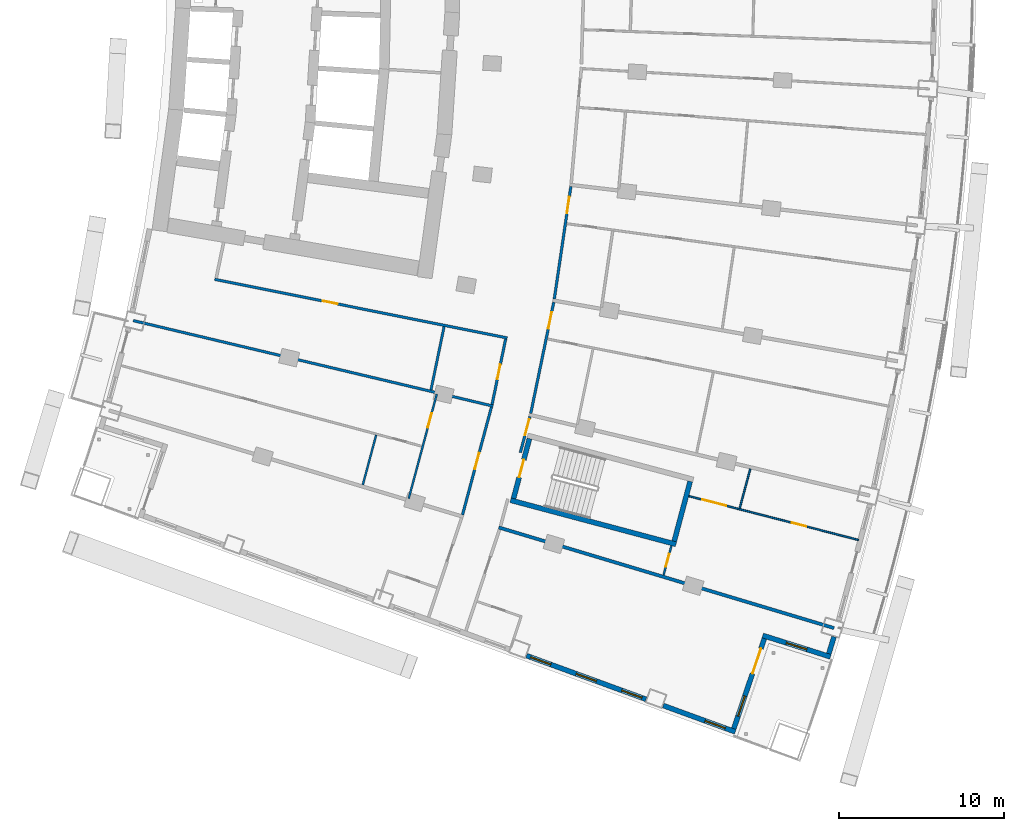
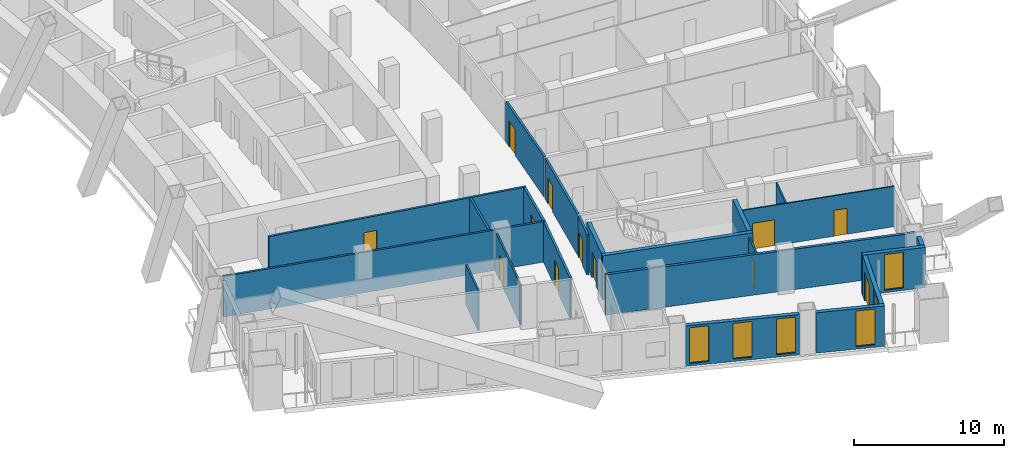
# One storey, part 14 of 25: 22 walls, 12 doors, 6 windows, 18 openings.
"""IFC4 building model written with IfcOpenShell, lengths in metres."""

from ifc_helpers import new_model, si_unit, direction, frame, frame_2d, origin, place, context, subcontext, project, spatial, rectangle, extrude, material, layer, layer_set, type_object, element, fill, save


model = new_model("IFC4")

# Units and contexts
model_context = context("Model", 3, precision=1e-05, world=origin(), true_north=direction((0.0, 1.0)))
body_context = subcontext(model_context, "Body", "Model", "MODEL_VIEW")
ifc_project = project(units=[si_unit("LENGTHUNIT", "METRE"), si_unit("AREAUNIT", "SQUARE_METRE"), si_unit("VOLUMEUNIT", "CUBIC_METRE"), si_unit("PLANEANGLEUNIT", "RADIAN"), si_unit("MASSUNIT", "GRAM", prefix="KILO")], contexts=[model_context])

# Site, building, storey
site_placement = place(None, origin())
site = spatial("IfcSite", under=ifc_project, at=site_placement, CompositionType="ELEMENT")
building_placement = place(site_placement, origin())
building = spatial("IfcBuilding", under=site, at=building_placement, Name="Alderwake Tower", CompositionType="ELEMENT")
storey_placement = place(building_placement, frame((0.0, 0.0, 64.39990234375)))
storey = spatial("IfcBuildingStorey", under=building, at=storey_placement, Name="L15", CompositionType="ELEMENT", Elevation=64.39990234375)

# Wall
ifc_material_1 = material(Name="Concrete C70/85", Category="concrete")
ifc_layer_1 = layer(ifc_material_1, 0.300048828125)
ifc_layer_set_1 = layer_set([ifc_layer_1], Name="Core wall stair enclosure 300 C70-85")
wall_type_1 = type_object("IfcWallType", Name="Core wall stair enclosure 300 C70-85", PredefinedType="SHEAR", material=ifc_layer_set_1)
wall_1_placement = place(storey_placement, frame((36.71142578125, 27.817626953125, 0.0), z_axis=(0.0, 0.0, 1.0), x_axis=(0.966309214305, -0.257383958996, 0.0)))
element("IfcWall", 1, at=wall_1_placement, inside=storey, type_object=wall_type_1, Name="Core wall CW.088", PredefinedType="SHEAR", context=body_context, shape_type="SweptSolid", body=[
    extrude(rectangle(XDim=10.360107421875, YDim=0.300048828125, at=frame_2d((5.18017578125, 0.0))), origin(), (0.0, 0.0, 1.0), 3.60009765625),
])

# Wall, opening, door
wall_2_placement = place(storey_placement, frame((36.89501953125, 27.923828125, 0.0), z_axis=(0.0, 0.0, 1.0), x_axis=(0.257350630826, 0.966318090907, 0.0)))
wall_2 = element("IfcWall", 2, at=wall_2_placement, inside=storey, type_object=wall_type_1, Name="Core wall CW.087", PredefinedType="SHEAR", context=body_context, shape_type="SweptSolid", body=[
    extrude(rectangle(XDim=3.75, YDim=0.300048828125, at=frame_2d((1.875, 0.0))), origin(), (0.0, 0.0, 1.0), 3.60009765625),
])
opening_1_placement = place(wall_2_placement, frame((1.324951171875, 0.0, 0.0)))
opening_1 = element("IfcOpeningElement", 3, at=opening_1_placement, cuts=wall_2, Name="Opening C065", PredefinedType="OPENING", context=body_context, shape_type="SweptSolid", body=[
    extrude(rectangle(XDim=1.10009765625, YDim=2.10009765625, at=frame_2d((0.550048828125, 1.050048828125))), frame((0.0, 0.159912109375, 0.0), z_axis=(0.0, -1.0, 0.0), x_axis=(1.0, 0.0, 0.0)), (0.0, 0.0, 1.0), 0.320068359375),
])
ifc_material_2 = material(Name="Steel-framed fire door leaf", Category="steel")
door_type_1 = type_object("IfcDoorType", Name="Core stair door 1100 fire-rated", OperationType="SINGLE_SWING_LEFT", PredefinedType="DOOR", material=ifc_material_2)
door_1_placement = place(opening_1_placement, origin())
door_1 = element("IfcDoor", 4, at=door_1_placement, inside=storey, type_object=door_type_1, Name="Stair door", OperationType="SINGLE_SWING_LEFT", OverallHeight=2.10009765625, OverallWidth=1.10009765625, PredefinedType="DOOR", context=body_context, shape_type="SweptSolid", body=[
    extrude(rectangle(XDim=1.10009765625, YDim=2.10009765625, at=frame_2d((0.550048828125, 1.050048828125))), frame((0.0, 0.02490234375, 0.0), z_axis=(0.0, -1.0, 0.0), x_axis=(1.0, 0.0, 0.0)), (0.0, 0.0, 1.0), 0.050048828125),
])
fill(opening_1, door_1)

# Walls
wall_3_placement = place(storey_placement, frame((46.6162109375, 25.334716796875, 0.0), z_axis=(0.0, 0.0, 1.0), x_axis=(0.257366821694, 0.966313778796, 0.0)))
element("IfcWall", 5, at=wall_3_placement, inside=storey, type_object=wall_type_1, Name="Core wall CW.085", PredefinedType="SHEAR", context=body_context, shape_type="SweptSolid", body=[
    extrude(rectangle(XDim=3.749755859375, YDim=0.300048828125, at=frame_2d((1.875, 0.0))), origin(), (0.0, 0.0, 1.0), 3.60009765625),
])
ifc_material_3 = material(Name="Gypsum board on metal studs, rated")
ifc_layer_2 = layer(ifc_material_3, 0.159912109375)
ifc_layer_set_2 = layer_set([ifc_layer_2], Name="Corridor wall 160")
wall_type_2 = type_object("IfcWallType", Name="Corridor wall 160", PredefinedType="PARTITIONING", material=ifc_layer_set_2)
wall_4_placement = place(storey_placement, frame((13.884033203125, 38.68798828125, 0.0), z_axis=(0.0, 0.0, 1.0), x_axis=(0.972893462073, -0.231253781493, 0.0)))
element("IfcWall", 6, at=wall_4_placement, inside=storey, type_object=wall_type_2, Name="WL/L15/W17", PredefinedType="PARTITIONING", context=body_context, shape_type="SweptSolid", body=[
    extrude(rectangle(XDim=22.38037109375, YDim=0.159912109375, at=frame_2d((11.190185546875, 0.0))), origin(), (0.0, 0.0, 1.0), 3.280029296875),
])

# Wall, opening, door
wall_5_placement = place(storey_placement, frame((36.513427734375, 37.63427734375, 0.0), z_axis=(0.0, 0.0, 1.0), x_axis=(-0.980470254867, 0.1966674333, 0.0)))
wall_5 = element("IfcWall", 7, at=wall_5_placement, inside=storey, type_object=wall_type_2, Name="WL/L15/W18", PredefinedType="PARTITIONING", context=body_context, shape_type="SweptSolid", body=[
    extrude(rectangle(XDim=18.053466796875, YDim=0.159912109375, at=frame_2d((9.02685546875, 0.0))), origin(), (0.0, 0.0, 1.0), 3.280029296875),
])
opening_2_placement = place(wall_5_placement, frame((10.476806640625, 0.0, 0.0)))
opening_2 = element("IfcOpeningElement", 8, at=opening_2_placement, cuts=wall_5, Name="Opening R04-SBS1", PredefinedType="OPENING", context=body_context, shape_type="SweptSolid", body=[
    extrude(rectangle(XDim=0.89990234375, YDim=2.10009765625, at=frame_2d((0.449951171875, 1.050048828125))), frame((0.0, 0.08984375, 0.0), z_axis=(0.0, -1.0, 0.0), x_axis=(1.0, 0.0, 0.0)), (0.0, 0.0, 1.0), 0.179931640625),
])
ifc_material_4 = material(Name="Painted timber leaf", Category="wood")
door_type_2 = type_object("IfcDoorType", Name="Room door 900", OperationType="SINGLE_SWING_LEFT", PredefinedType="DOOR", material=ifc_material_4)
door_2_placement = place(opening_2_placement, origin())
door_2 = element("IfcDoor", 9, at=door_2_placement, inside=storey, type_object=door_type_2, Name="DR/L15/SBS1", OperationType="SINGLE_SWING_LEFT", OverallHeight=2.10009765625, OverallWidth=0.89990234375, PredefinedType="DOOR", context=body_context, shape_type="SweptSolid", body=[
    extrude(rectangle(XDim=0.89990234375, YDim=2.10009765625, at=frame_2d((0.449951171875, 1.050048828125))), frame((0.0, 0.02490234375, 0.0), z_axis=(0.0, -1.0, 0.0), x_axis=(1.0, 0.0, 0.0)), (0.0, 0.0, 1.0), 0.050048828125),
])
fill(opening_2, door_2)

wall_6_placement = place(storey_placement, frame((33.808837890625, 26.9345703125, 0.0), z_axis=(0.0, 0.0, 1.0), x_axis=(0.259298911818, 0.965797118618, 0.0)))
wall_6 = element("IfcWall", 10, at=wall_6_placement, inside=storey, type_object=wall_type_2, Name="WL/L15/W25", PredefinedType="PARTITIONING", context=body_context, shape_type="SweptSolid", body=[
    extrude(rectangle(XDim=6.75, YDim=0.159912109375, at=frame_2d((3.375, 0.0))), origin(), (0.0, 0.0, 1.0), 3.280029296875),
])
opening_3_placement = place(wall_6_placement, frame((2.875, 0.0, 0.0)))
opening_3 = element("IfcOpeningElement", 11, at=opening_3_placement, cuts=wall_6, Name="Opening R04-U13.1", PredefinedType="OPENING", context=body_context, shape_type="SweptSolid", body=[
    extrude(rectangle(XDim=1.0, YDim=2.10009765625, at=frame_2d((0.5, 1.050048828125))), frame((0.0, 0.08984375, 0.0), z_axis=(0.0, -1.0, 0.0), x_axis=(1.0, 0.0, 0.0)), (0.0, 0.0, 1.0), 0.179931640625),
])
ifc_material_5 = material(Name="Solid timber leaf in steel frame", Category="steel")
door_type_3 = type_object("IfcDoorType", Name="Flat entrance door 1000 fire-rated", OperationType="SINGLE_SWING_LEFT", PredefinedType="DOOR", material=ifc_material_5)
door_3_placement = place(opening_3_placement, origin())
door_3 = element("IfcDoor", 12, at=door_3_placement, inside=storey, type_object=door_type_3, Name="DR/L15/U13.1", OperationType="SINGLE_SWING_LEFT", OverallHeight=2.10009765625, OverallWidth=1.0, PredefinedType="DOOR", context=body_context, shape_type="SweptSolid", body=[
    extrude(rectangle(XDim=1.0, YDim=2.10009765625, at=frame_2d((0.5, 1.050048828125))), frame((0.0, 0.02490234375, 0.0), z_axis=(0.0, -1.0, 0.0), x_axis=(1.0, 0.0, 0.0)), (0.0, 0.0, 1.0), 0.050048828125),
])
fill(opening_3, door_3)

wall_7_placement = place(storey_placement, frame((35.59619140625, 33.609375, 0.0), z_axis=(0.0, 0.0, 1.0), x_axis=(0.203245920818, 0.979127721838, 0.0)))
wall_7 = element("IfcWall", 13, at=wall_7_placement, inside=storey, type_object=wall_type_2, Name="WL/L15/W30", PredefinedType="PARTITIONING", context=body_context, shape_type="SweptSolid", body=[
    extrude(rectangle(XDim=4.046875, YDim=0.159912109375, at=frame_2d((2.0234375, 0.0))), origin(), (0.0, 0.0, 1.0), 3.280029296875),
])
opening_4_placement = place(wall_7_placement, frame((1.573486328125, 0.0, 0.0)))
opening_4 = element("IfcOpeningElement", 14, at=opening_4_placement, cuts=wall_7, Name="Opening R04-SBS2", PredefinedType="OPENING", context=body_context, shape_type="SweptSolid", body=[
    extrude(rectangle(XDim=0.89990234375, YDim=2.10009765625, at=frame_2d((0.449951171875, 1.050048828125))), frame((0.0, 0.08984375, 0.0), z_axis=(0.0, -1.0, 0.0), x_axis=(1.0, 0.0, 0.0)), (0.0, 0.0, 1.0), 0.179931640625),
])
door_4_placement = place(opening_4_placement, origin())
door_4 = element("IfcDoor", 15, at=door_4_placement, inside=storey, type_object=door_type_2, Name="DR/L15/SBS2", OperationType="SINGLE_SWING_LEFT", OverallHeight=2.10009765625, OverallWidth=0.89990234375, PredefinedType="DOOR", context=body_context, shape_type="SweptSolid", body=[
    extrude(rectangle(XDim=0.89990234375, YDim=2.10009765625, at=frame_2d((0.449951171875, 1.050048828125))), frame((0.0, 0.02490234375, 0.0), z_axis=(0.0, -1.0, 0.0), x_axis=(1.0, 0.0, 0.0)), (0.0, 0.0, 1.0), 0.050048828125),
])
fill(opening_4, door_4)

wall_8_placement = place(storey_placement, frame((37.89111328125, 32.87939453125, 0.0), z_axis=(0.0, 0.0, 1.0), x_axis=(-0.259620578816, -0.965710699462, 0.0)))
wall_8 = element("IfcWall", 16, at=wall_8_placement, inside=storey, type_object=wall_type_2, Name="WL/L15/W33", PredefinedType="PARTITIONING", context=body_context, shape_type="SweptSolid", body=[
    extrude(rectangle(XDim=2.2578125, YDim=0.159912109375, at=frame_2d((1.12890625, 0.0))), origin(), (0.0, 0.0, 1.0), 3.280029296875),
])
opening_5_placement = place(wall_8_placement, frame((0.1708984375, 0.0, 0.0)))
opening_5 = element("IfcOpeningElement", 17, at=opening_5_placement, cuts=wall_8, Name="Opening R04-U01.1", PredefinedType="OPENING", context=body_context, shape_type="SweptSolid", body=[
    extrude(rectangle(XDim=1.0, YDim=2.10009765625, at=frame_2d((0.5, 1.050048828125))), frame((0.0, 0.08984375, 0.0), z_axis=(0.0, -1.0, 0.0), x_axis=(1.0, 0.0, 0.0)), (0.0, 0.0, 1.0), 0.179931640625),
])
door_5_placement = place(opening_5_placement, origin())
door_5 = element("IfcDoor", 18, at=door_5_placement, inside=storey, type_object=door_type_3, Name="DR/L15/U01.1", OperationType="SINGLE_SWING_LEFT", OverallHeight=2.10009765625, OverallWidth=1.0, PredefinedType="DOOR", context=body_context, shape_type="SweptSolid", body=[
    extrude(rectangle(XDim=1.0, YDim=2.10009765625, at=frame_2d((0.5, 1.050048828125))), frame((0.0, 0.02490234375, 0.0), z_axis=(0.0, -1.0, 0.0), x_axis=(1.0, 0.0, 0.0)), (0.0, 0.0, 1.0), 0.050048828125),
])
fill(opening_5, door_5)

wall_9_placement = place(storey_placement, frame((39.32763671875, 39.799072265625, 0.0), z_axis=(0.0, 0.0, 1.0), x_axis=(-0.202463357072, -0.97928983914, 0.0)))
wall_9 = element("IfcWall", 19, at=wall_9_placement, inside=storey, type_object=wall_type_2, Name="WL/L15/W34", PredefinedType="PARTITIONING", context=body_context, shape_type="SweptSolid", body=[
    extrude(rectangle(XDim=6.867431640625, YDim=0.159912109375, at=frame_2d((3.43359375, 0.0))), origin(), (0.0, 0.0, 1.0), 3.280029296875),
])
opening_6_placement = place(wall_9_placement, frame((0.62744140625, 0.0, 0.0)))
opening_6 = element("IfcOpeningElement", 20, at=opening_6_placement, cuts=wall_9, Name="Opening R04-U05.2", PredefinedType="OPENING", context=body_context, shape_type="SweptSolid", body=[
    extrude(rectangle(XDim=1.0, YDim=2.10009765625, at=frame_2d((0.5, 1.050048828125))), frame((0.0, 0.08984375, 0.0), z_axis=(0.0, -1.0, 0.0), x_axis=(1.0, 0.0, 0.0)), (0.0, 0.0, 1.0), 0.179931640625),
])
door_6_placement = place(opening_6_placement, origin())
door_6 = element("IfcDoor", 21, at=door_6_placement, inside=storey, type_object=door_type_3, Name="DR/L15/U05.2", OperationType="SINGLE_SWING_LEFT", OverallHeight=2.10009765625, OverallWidth=1.0, PredefinedType="DOOR", context=body_context, shape_type="SweptSolid", body=[
    extrude(rectangle(XDim=1.0, YDim=2.10009765625, at=frame_2d((0.5, 1.050048828125))), frame((0.0, 0.02490234375, 0.0), z_axis=(0.0, -1.0, 0.0), x_axis=(1.0, 0.0, 0.0)), (0.0, 0.0, 1.0), 0.050048828125),
])
fill(opening_6, door_6)

wall_10_placement = place(storey_placement, frame((40.3623046875, 46.7939453125, 0.0), z_axis=(0.0, 0.0, 1.0), x_axis=(-0.1455042199, -0.989357630987, 0.0)))
wall_10 = element("IfcWall", 22, at=wall_10_placement, inside=storey, type_object=wall_type_2, Name="WL/L15/W36", PredefinedType="PARTITIONING", context=body_context, shape_type="SweptSolid", body=[
    extrude(rectangle(XDim=6.87109375, YDim=0.159912109375, at=frame_2d((3.435546875, 0.0))), origin(), (0.0, 0.0, 1.0), 3.280029296875),
])
opening_7_placement = place(wall_10_placement, frame((0.628662109375, 0.0, 0.0)))
opening_7 = element("IfcOpeningElement", 23, at=opening_7_placement, cuts=wall_10, Name="Opening R04-U06.2", PredefinedType="OPENING", context=body_context, shape_type="SweptSolid", body=[
    extrude(rectangle(XDim=1.0, YDim=2.10009765625, at=frame_2d((0.5, 1.050048828125))), frame((0.0, 0.08984375, 0.0), z_axis=(0.0, -1.0, 0.0), x_axis=(1.0, 0.0, 0.0)), (0.0, 0.0, 1.0), 0.179931640625),
])
door_7_placement = place(opening_7_placement, origin())
door_7 = element("IfcDoor", 24, at=door_7_placement, inside=storey, type_object=door_type_3, Name="DR/L15/U06.2", OperationType="SINGLE_SWING_LEFT", OverallHeight=2.10009765625, OverallWidth=1.0, PredefinedType="DOOR", context=body_context, shape_type="SweptSolid", body=[
    extrude(rectangle(XDim=1.0, YDim=2.10009765625, at=frame_2d((0.5, 1.050048828125))), frame((0.0, 0.02490234375, 0.0), z_axis=(0.0, -1.0, 0.0), x_axis=(1.0, 0.0, 0.0)), (0.0, 0.0, 1.0), 0.050048828125),
])
fill(opening_7, door_7)

# Wall
ifc_material_6 = material(Name="Precast concrete C50/60 spandrel panel", Category="concrete")
ifc_layer_3 = layer(ifc_material_6, 0.300048828125)
ifc_layer_set_3 = layer_set([ifc_layer_3], Name="External wall EW1 Precast concrete C50/60 spandrel")
wall_type_3 = type_object("IfcWallType", Name="External wall EW1 Precast concrete C50/60 spandrel", PredefinedType="SOLIDWALL", material=ifc_layer_set_3)
wall_11_placement = place(storey_placement, frame((55.968994140625, 18.53125, 0.0), z_axis=(0.0, 0.0, 1.0), x_axis=(0.29467833964, 0.955596502791, 0.0)))
element("IfcWall", 25, at=wall_11_placement, inside=storey, type_object=wall_type_3, Name="External wall 11", PredefinedType="SOLIDWALL", context=body_context, shape_type="SweptSolid", body=[
    extrude(rectangle(XDim=1.0712890625, YDim=0.300048828125, at=frame_2d((0.53564453125, 0.0))), origin(), (0.0, 0.0, 1.0), 3.280029296875),
])

# Wall, openings, windows
ifc_material_7 = material(Name="Bronze metal cladding on lightweight framing")
ifc_layer_4 = layer(ifc_material_7, 0.300048828125)
ifc_layer_set_4 = layer_set([ifc_layer_4], Name="External wall EW2 bronze metal cladding")
wall_type_4 = type_object("IfcWallType", Name="External wall EW2 bronze metal cladding", PredefinedType="SOLIDWALL", material=ifc_layer_set_4)
wall_12_placement = place(storey_placement, frame((37.68310546875, 18.414794921875, 0.0), z_axis=(0.0, 0.0, 1.0), x_axis=(0.939374999544, -0.342891542958, 0.0)))
wall_12 = element("IfcWall", 26, at=wall_12_placement, inside=storey, type_object=wall_type_4, Name="External wall 7", PredefinedType="SOLIDWALL", context=body_context, shape_type="SweptSolid", body=[
    extrude(rectangle(XDim=7.696044921875, YDim=0.300048828125, at=frame_2d((3.84814453125, 0.0))), origin(), (0.0, 0.0, 1.0), 3.280029296875),
])
opening_8_placement = place(wall_12_placement, frame((0.264404296875, 0.0, 0.199951171875)))
opening_8 = element("IfcOpeningElement", 27, at=opening_8_placement, cuts=wall_12, Name="Opening W1", PredefinedType="OPENING", context=body_context, shape_type="SweptSolid", body=[
    extrude(rectangle(XDim=1.300048828125, YDim=2.89990234375, at=frame_2d((0.64990234375, 1.449951171875))), frame((0.0, 0.159912109375, 0.0), z_axis=(0.0, -1.0, 0.0), x_axis=(1.0, 0.0, 0.0)), (0.0, 0.0, 1.0), 0.320068359375),
])
opening_9_placement = place(wall_12_placement, frame((3.197998046875, 0.0, 0.199951171875)))
opening_9 = element("IfcOpeningElement", 28, at=opening_9_placement, cuts=wall_12, Name="Opening W1", PredefinedType="OPENING", context=body_context, shape_type="SweptSolid", body=[
    extrude(rectangle(XDim=1.300048828125, YDim=2.89990234375, at=frame_2d((0.64990234375, 1.449951171875))), frame((0.0, 0.159912109375, 0.0), z_axis=(0.0, -1.0, 0.0), x_axis=(1.0, 0.0, 0.0)), (0.0, 0.0, 1.0), 0.320068359375),
])
opening_10_placement = place(wall_12_placement, frame((6.13134765625, 0.0, 0.199951171875)))
opening_10 = element("IfcOpeningElement", 29, at=opening_10_placement, cuts=wall_12, Name="Opening W1", PredefinedType="OPENING", context=body_context, shape_type="SweptSolid", body=[
    extrude(rectangle(XDim=1.300048828125, YDim=2.89990234375, at=frame_2d((0.64990234375, 1.449951171875))), frame((0.0, 0.159912109375, 0.0), z_axis=(0.0, -1.0, 0.0), x_axis=(1.0, 0.0, 0.0)), (0.0, 0.0, 1.0), 0.320068359375),
])
ifc_material_8 = material(Name="Bronze tinted glass in aluminium frame", Category="aluminium")
window_type = type_object("IfcWindowType", Name="Window W1 tall fixed and vent", PartitioningType="DOUBLE_PANEL_VERTICAL", PredefinedType="WINDOW", material=ifc_material_8)
window_1_placement = place(opening_8_placement, origin())
window_1 = element("IfcWindow", 30, at=window_1_placement, inside=storey, type_object=window_type, Name="Window W1 tall fixed and vent", OverallHeight=2.89990234375, OverallWidth=1.300048828125, PartitioningType="DOUBLE_PANEL_VERTICAL", PredefinedType="WINDOW", context=body_context, shape_type="SweptSolid", body=[
    extrude(rectangle(XDim=1.300048828125, YDim=2.89990234375, at=frame_2d((0.64990234375, 1.449951171875))), frame((0.0, 0.030029296875, 0.0), z_axis=(0.0, -1.0, 0.0), x_axis=(1.0, 0.0, 0.0)), (0.0, 0.0, 1.0), 0.06005859375),
])
fill(opening_8, window_1)
window_2_placement = place(opening_9_placement, origin())
window_2 = element("IfcWindow", 31, at=window_2_placement, inside=storey, type_object=window_type, Name="Window W1 tall fixed and vent", OverallHeight=2.89990234375, OverallWidth=1.300048828125, PartitioningType="DOUBLE_PANEL_VERTICAL", PredefinedType="WINDOW", context=body_context, shape_type="SweptSolid", body=[
    extrude(rectangle(XDim=1.300048828125, YDim=2.89990234375, at=frame_2d((0.64990234375, 1.449951171875))), frame((0.0, 0.030029296875, 0.0), z_axis=(0.0, -1.0, 0.0), x_axis=(1.0, 0.0, 0.0)), (0.0, 0.0, 1.0), 0.06005859375),
])
fill(opening_9, window_2)
window_3_placement = place(opening_10_placement, origin())
window_3 = element("IfcWindow", 32, at=window_3_placement, inside=storey, type_object=window_type, Name="Window W1 tall fixed and vent", OverallHeight=2.89990234375, OverallWidth=1.300048828125, PartitioningType="DOUBLE_PANEL_VERTICAL", PredefinedType="WINDOW", context=body_context, shape_type="SweptSolid", body=[
    extrude(rectangle(XDim=1.300048828125, YDim=2.89990234375, at=frame_2d((0.64990234375, 1.449951171875))), frame((0.0, 0.030029296875, 0.0), z_axis=(0.0, -1.0, 0.0), x_axis=(1.0, 0.0, 0.0)), (0.0, 0.0, 1.0), 0.06005859375),
])
fill(opening_10, window_3)

# Wall, opening, window
wall_13_placement = place(storey_placement, frame((45.94970703125, 15.3974609375, 0.0), z_axis=(0.0, 0.0, 1.0), x_axis=(0.939360006806, -0.342932613807, 0.0)))
wall_13 = element("IfcWall", 33, at=wall_13_placement, inside=storey, type_object=wall_type_4, Name="External wall 8", PredefinedType="SOLIDWALL", context=body_context, shape_type="SweptSolid", body=[
    extrude(rectangle(XDim=4.64599609375, YDim=0.300048828125, at=frame_2d((2.322998046875, 0.0))), origin(), (0.0, 0.0, 1.0), 3.280029296875),
])
opening_11_placement = place(wall_13_placement, frame((2.6962890625, 0.0, 0.199951171875)))
opening_11 = element("IfcOpeningElement", 34, at=opening_11_placement, cuts=wall_13, Name="Opening W1", PredefinedType="OPENING", context=body_context, shape_type="SweptSolid", body=[
    extrude(rectangle(XDim=1.300048828125, YDim=2.89990234375, at=frame_2d((0.64990234375, 1.449951171875))), frame((0.0, 0.159912109375, 0.0), z_axis=(0.0, -1.0, 0.0), x_axis=(1.0, 0.0, 0.0)), (0.0, 0.0, 1.0), 0.320068359375),
])
window_4_placement = place(opening_11_placement, origin())
window_4 = element("IfcWindow", 35, at=window_4_placement, inside=storey, type_object=window_type, Name="Window W1 tall fixed and vent", OverallHeight=2.89990234375, OverallWidth=1.300048828125, PartitioningType="DOUBLE_PANEL_VERTICAL", PredefinedType="WINDOW", context=body_context, shape_type="SweptSolid", body=[
    extrude(rectangle(XDim=1.300048828125, YDim=2.89990234375, at=frame_2d((0.64990234375, 1.449951171875))), frame((0.0, 0.030029296875, 0.0), z_axis=(0.0, -1.0, 0.0), x_axis=(1.0, 0.0, 0.0)), (0.0, 0.0, 1.0), 0.06005859375),
])
fill(opening_11, window_4)

# Wall, openings, door, window
wall_14_placement = place(storey_placement, frame((50.22119140625, 13.997802734375, 0.0), z_axis=(0.0, 0.0, 1.0), x_axis=(0.320867781559, 0.947123997562, 0.0)))
wall_14 = element("IfcWall", 36, at=wall_14_placement, inside=storey, type_object=wall_type_4, Name="External wall 9", PredefinedType="SOLIDWALL", context=body_context, shape_type="SweptSolid", body=[
    extrude(rectangle(XDim=5.7568359375, YDim=0.300048828125, at=frame_2d((2.87841796875, 0.0))), origin(), (0.0, 0.0, 1.0), 3.280029296875),
])
opening_12_placement = place(wall_14_placement, frame((0.789306640625, 0.0, 0.199951171875)))
opening_12 = element("IfcOpeningElement", 37, at=opening_12_placement, cuts=wall_14, Name="Opening W1", PredefinedType="OPENING", context=body_context, shape_type="SweptSolid", body=[
    extrude(rectangle(XDim=1.300048828125, YDim=2.89990234375, at=frame_2d((0.64990234375, 1.449951171875))), frame((0.0, 0.159912109375, 0.0), z_axis=(0.0, -1.0, 0.0), x_axis=(1.0, 0.0, 0.0)), (0.0, 0.0, 1.0), 0.320068359375),
])
opening_13_placement = place(wall_14_placement, frame((3.517578125, 0.0, 0.0)))
opening_13 = element("IfcOpeningElement", 38, at=opening_13_placement, cuts=wall_14, Name="Opening D02", PredefinedType="OPENING", context=body_context, shape_type="SweptSolid", body=[
    extrude(rectangle(XDim=1.60009765625, YDim=2.39990234375, at=frame_2d((0.800048828125, 1.199951171875))), frame((0.0, 0.159912109375, 0.0), z_axis=(0.0, -1.0, 0.0), x_axis=(1.0, 0.0, 0.0)), (0.0, 0.0, 1.0), 0.320068359375),
])
ifc_material_9 = material(Name="Bronze tinted glass in aluminium frame", Category="aluminium")
door_type_4 = type_object("IfcDoorType", Name="Terrace door TD sliding", OperationType="SLIDING_TO_LEFT", PredefinedType="DOOR", material=ifc_material_9)
door_8_placement = place(opening_13_placement, origin())
door_8 = element("IfcDoor", 39, at=door_8_placement, inside=storey, type_object=door_type_4, Name="Door D02", OperationType="SLIDING_TO_LEFT", OverallHeight=2.39990234375, OverallWidth=1.60009765625, PredefinedType="DOOR", context=body_context, shape_type="SweptSolid", body=[
    extrude(rectangle(XDim=1.60009765625, YDim=2.39990234375, at=frame_2d((0.800048828125, 1.199951171875))), frame((0.0, 0.02490234375, 0.0), z_axis=(0.0, -1.0, 0.0), x_axis=(1.0, 0.0, 0.0)), (0.0, 0.0, 1.0), 0.050048828125),
])
fill(opening_13, door_8)
window_5_placement = place(opening_12_placement, origin())
window_5 = element("IfcWindow", 40, at=window_5_placement, inside=storey, type_object=window_type, Name="Window W1 tall fixed and vent", OverallHeight=2.89990234375, OverallWidth=1.300048828125, PartitioningType="DOUBLE_PANEL_VERTICAL", PredefinedType="WINDOW", context=body_context, shape_type="SweptSolid", body=[
    extrude(rectangle(XDim=1.300048828125, YDim=2.89990234375, at=frame_2d((0.64990234375, 1.449951171875))), frame((0.0, 0.030029296875, 0.0), z_axis=(0.0, -1.0, 0.0), x_axis=(1.0, 0.0, 0.0)), (0.0, 0.0, 1.0), 0.06005859375),
])
fill(opening_12, window_5)

# Wall, opening, window
wall_15_placement = place(storey_placement, frame((51.973388671875, 19.637451171875, 0.0), z_axis=(0.0, 0.0, 1.0), x_axis=(0.953475206707, -0.301471441758, 0.0)))
wall_15 = element("IfcWall", 41, at=wall_15_placement, inside=storey, type_object=wall_type_4, Name="External wall 10", PredefinedType="SOLIDWALL", context=body_context, shape_type="SweptSolid", body=[
    extrude(rectangle(XDim=4.29443359375, YDim=0.300048828125, at=frame_2d((2.147216796875, 0.0))), origin(), (0.0, 0.0, 1.0), 3.280029296875),
])
opening_14_placement = place(wall_15_placement, frame((1.4970703125, 0.0, 0.199951171875)))
opening_14 = element("IfcOpeningElement", 42, at=opening_14_placement, cuts=wall_15, Name="Opening W1", PredefinedType="OPENING", context=body_context, shape_type="SweptSolid", body=[
    extrude(rectangle(XDim=1.300048828125, YDim=2.89990234375, at=frame_2d((0.64990234375, 1.449951171875))), frame((0.0, 0.159912109375, 0.0), z_axis=(0.0, -1.0, 0.0), x_axis=(1.0, 0.0, 0.0)), (0.0, 0.0, 1.0), 0.320068359375),
])
window_6_placement = place(opening_14_placement, origin())
window_6 = element("IfcWindow", 43, at=window_6_placement, inside=storey, type_object=window_type, Name="Window W1 tall fixed and vent", OverallHeight=2.89990234375, OverallWidth=1.300048828125, PartitioningType="DOUBLE_PANEL_VERTICAL", PredefinedType="WINDOW", context=body_context, shape_type="SweptSolid", body=[
    extrude(rectangle(XDim=1.300048828125, YDim=2.89990234375, at=frame_2d((0.64990234375, 1.449951171875))), frame((0.0, 0.030029296875, 0.0), z_axis=(0.0, -1.0, 0.0), x_axis=(1.0, 0.0, 0.0)), (0.0, 0.0, 1.0), 0.06005859375),
])
fill(opening_14, window_6)

# Walls
ifc_material_10 = material(Name="Dense block masonry wall", Category="masonry")
ifc_layer_5 = layer(ifc_material_10, 0.199951171875)
ifc_layer_set_5 = layer_set([ifc_layer_5], Name="Party wall 200")
wall_type_5 = type_object("IfcWallType", Name="Party wall 200", PredefinedType="SOLIDWALL", material=ifc_layer_set_5)
wall_16_placement = place(storey_placement, frame((36.00439453125, 26.1708984375, 0.0), z_axis=(0.0, 0.0, 1.0), x_axis=(0.957781220671, -0.287498057958, 0.0)))
element("IfcWall", 44, at=wall_16_placement, inside=storey, type_object=wall_type_5, Name="WL/L15/W05", PredefinedType="SOLIDWALL", context=body_context, shape_type="SweptSolid", body=[
    extrude(rectangle(XDim=21.1787109375, YDim=0.199951171875, at=frame_2d((10.58935546875, 0.0))), origin(), (0.0, 0.0, 1.0), 3.280029296875),
])
ifc_material_11 = material(Name="Gypsum shaft wall system, rated")
ifc_layer_6 = layer(ifc_material_11, 0.14990234375)
ifc_layer_set_6 = layer_set([ifc_layer_6], Name="Riser and shaft wall 150")
wall_type_6 = type_object("IfcWallType", Name="Riser and shaft wall 150", PredefinedType="PARTITIONING", material=ifc_layer_set_6)
wall_17_placement = place(storey_placement, frame((31.900146484375, 34.48828125, 0.0), z_axis=(0.0, 0.0, 1.0), x_axis=(0.20266545775, 0.979248034073, 0.0)))
element("IfcWall", 45, at=wall_17_placement, inside=storey, type_object=wall_type_6, Name="WL/L15/W15", PredefinedType="PARTITIONING", context=body_context, shape_type="SweptSolid", body=[
    extrude(rectangle(XDim=3.911376953125, YDim=0.14990234375, at=frame_2d((1.95556640625, 0.0))), origin(), (0.0, 0.0, 1.0), 3.280029296875),
])

# Wall, openings, doors
ifc_material_12 = material(Name="Gypsum board on metal studs")
ifc_layer_7 = layer(ifc_material_12, 0.10009765625)
ifc_layer_set_7 = layer_set([ifc_layer_7], Name="Unit partition 100")
wall_type_7 = type_object("IfcWallType", Name="Unit partition 100", PredefinedType="PARTITIONING", material=ifc_layer_set_7)
wall_18_placement = place(storey_placement, frame((57.77392578125, 25.4130859375, 0.0), z_axis=(0.0, 0.0, 1.0), x_axis=(-0.968198811247, 0.250182057509, 0.0)))
wall_18 = element("IfcWall", 46, at=wall_18_placement, inside=storey, type_object=wall_type_7, Name="WL/L15/W78", PredefinedType="PARTITIONING", context=body_context, shape_type="SweptSolid", body=[
    extrude(rectangle(XDim=10.6123046875, YDim=0.10009765625, at=frame_2d((5.30615234375, 0.0))), origin(), (0.0, 0.0, 1.0), 3.280029296875),
])
opening_15_placement = place(wall_18_placement, frame((8.2802734375, 0.0, 0.0)))
opening_15 = element("IfcOpeningElement", 47, at=opening_15_placement, cuts=wall_18, Name="Opening R04-U01.2", PredefinedType="OPENING", context=body_context, shape_type="SweptSolid", body=[
    extrude(rectangle(XDim=1.5, YDim=2.10009765625, at=frame_2d((0.75, 1.050048828125))), frame((0.0, 0.06005859375, 0.0), z_axis=(0.0, -1.0, 0.0), x_axis=(1.0, 0.0, 0.0)), (0.0, 0.0, 1.0), 0.1201171875),
])
opening_16_placement = place(wall_18_placement, frame((3.2744140625, 0.0, 0.0)))
opening_16 = element("IfcOpeningElement", 48, at=opening_16_placement, cuts=wall_18, Name="Opening R04-U01.3", PredefinedType="OPENING", context=body_context, shape_type="SweptSolid", body=[
    extrude(rectangle(XDim=0.89990234375, YDim=2.10009765625, at=frame_2d((0.449951171875, 1.050048828125))), frame((0.0, 0.06005859375, 0.0), z_axis=(0.0, -1.0, 0.0), x_axis=(1.0, 0.0, 0.0)), (0.0, 0.0, 1.0), 0.1201171875),
])
ifc_material_13 = material(Name="Painted timber leaves", Category="wood")
door_type_5 = type_object("IfcDoorType", Name="Double leaf door 1500", OperationType="DOUBLE_DOOR_SINGLE_SWING", PredefinedType="DOOR", material=ifc_material_13)
door_9_placement = place(opening_15_placement, origin())
door_9 = element("IfcDoor", 49, at=door_9_placement, inside=storey, type_object=door_type_5, Name="DR/L15/U01.2", OperationType="DOUBLE_DOOR_SINGLE_SWING", OverallHeight=2.10009765625, OverallWidth=1.5, PredefinedType="DOOR", context=body_context, shape_type="SweptSolid", body=[
    extrude(rectangle(XDim=1.5, YDim=2.10009765625, at=frame_2d((0.75, 1.050048828125))), frame((0.0, 0.02490234375, 0.0), z_axis=(0.0, -1.0, 0.0), x_axis=(1.0, 0.0, 0.0)), (0.0, 0.0, 1.0), 0.050048828125),
])
fill(opening_15, door_9)
door_10_placement = place(opening_16_placement, origin())
door_10 = element("IfcDoor", 50, at=door_10_placement, inside=storey, type_object=door_type_2, Name="DR/L15/U01.3", OperationType="SINGLE_SWING_LEFT", OverallHeight=2.10009765625, OverallWidth=0.89990234375, PredefinedType="DOOR", context=body_context, shape_type="SweptSolid", body=[
    extrude(rectangle(XDim=0.89990234375, YDim=2.10009765625, at=frame_2d((0.449951171875, 1.050048828125))), frame((0.0, 0.02490234375, 0.0), z_axis=(0.0, -1.0, 0.0), x_axis=(1.0, 0.0, 0.0)), (0.0, 0.0, 1.0), 0.050048828125),
])
fill(opening_16, door_10)

# Walls
wall_19_placement = place(storey_placement, frame((50.574951171875, 27.32421875, 0.0), z_axis=(0.0, 0.0, 1.0), x_axis=(0.259739710308, 0.965678664406, 0.0)))
element("IfcWall", 51, at=wall_19_placement, inside=storey, type_object=wall_type_7, Name="WL/L15/W82", PredefinedType="PARTITIONING", context=body_context, shape_type="SweptSolid", body=[
    extrude(rectangle(XDim=2.47216796875, YDim=0.10009765625, at=frame_2d((1.236083984375, 0.0))), origin(), (0.0, 0.0, 1.0), 3.280029296875),
])
ifc_material_14 = material(Name="Moisture resistant gypsum board on metal studs")
ifc_layer_8 = layer(ifc_material_14, 0.1201171875)
ifc_layer_set_8 = layer_set([ifc_layer_8], Name="Wet room partition 120")
wall_type_8 = type_object("IfcWallType", Name="Wet room partition 120", PredefinedType="PARTITIONING", material=ifc_layer_set_8)
wall_20_placement = place(storey_placement, frame((28.586181640625, 31.769775390625, 0.0), z_axis=(0.0, 0.0, 1.0), x_axis=(-0.258890741102, -0.965906612552, 0.0)))
element("IfcWall", 52, at=wall_20_placement, inside=storey, type_object=wall_type_8, Name="WL/L15/W43", PredefinedType="PARTITIONING", context=body_context, shape_type="SweptSolid", body=[
    extrude(rectangle(XDim=3.1298828125, YDim=0.1201171875, at=frame_2d((1.56494140625, 0.0))), origin(), (0.0, 0.0, 1.0), 3.280029296875),
])

# Wall, opening, door
wall_21_placement = place(storey_placement, frame((30.551025390625, 27.91259765625, 0.0), z_axis=(0.0, 0.0, 1.0), x_axis=(0.259786390708, 0.965666107515, 0.0)))
wall_21 = element("IfcWall", 53, at=wall_21_placement, inside=storey, type_object=wall_type_8, Name="WL/L15/W47", PredefinedType="PARTITIONING", context=body_context, shape_type="SweptSolid", body=[
    extrude(rectangle(XDim=6.552001953125, YDim=0.1201171875, at=frame_2d((3.27587890625, 0.0))), origin(), (0.0, 0.0, 1.0), 3.280029296875),
])
opening_17_placement = place(wall_21_placement, frame((4.459228515625, 0.0, 0.0)))
opening_17 = element("IfcOpeningElement", 54, at=opening_17_placement, cuts=wall_21, Name="Opening R04-U13.2", PredefinedType="OPENING", context=body_context, shape_type="SweptSolid", body=[
    extrude(rectangle(XDim=0.89990234375, YDim=2.10009765625, at=frame_2d((0.449951171875, 1.050048828125))), frame((0.0, 0.070068359375, 0.0), z_axis=(0.0, -1.0, 0.0), x_axis=(1.0, 0.0, 0.0)), (0.0, 0.0, 1.0), 0.14013671875),
])
door_11_placement = place(opening_17_placement, origin())
door_11 = element("IfcDoor", 55, at=door_11_placement, inside=storey, type_object=door_type_2, Name="DR/L15/U13.2", OperationType="SINGLE_SWING_LEFT", OverallHeight=2.10009765625, OverallWidth=0.89990234375, PredefinedType="DOOR", context=body_context, shape_type="SweptSolid", body=[
    extrude(rectangle(XDim=0.89990234375, YDim=2.10009765625, at=frame_2d((0.449951171875, 1.050048828125))), frame((0.0, 0.02490234375, 0.0), z_axis=(0.0, -1.0, 0.0), x_axis=(1.0, 0.0, 0.0)), (0.0, 0.0, 1.0), 0.050048828125),
])
fill(opening_17, door_11)

wall_22_placement = place(storey_placement, frame((45.970947265625, 23.28369140625, 0.0), z_axis=(0.0, 0.0, 1.0), x_axis=(0.258764710752, 0.965940383497, 0.0)))
wall_22 = element("IfcWall", 56, at=wall_22_placement, inside=storey, type_object=wall_type_8, Name="WL/L15/W64", PredefinedType="PARTITIONING", context=body_context, shape_type="SweptSolid", body=[
    extrude(rectangle(XDim=1.847412109375, YDim=0.1201171875, at=frame_2d((0.923828125, 0.0))), origin(), (0.0, 0.0, 1.0), 3.280029296875),
])
opening_18_placement = place(wall_22_placement, frame((0.523681640625, 0.0, 0.0)))
opening_18 = element("IfcOpeningElement", 57, at=opening_18_placement, cuts=wall_22, Name="Opening R04-U01.4", PredefinedType="OPENING", context=body_context, shape_type="SweptSolid", body=[
    extrude(rectangle(XDim=0.800048828125, YDim=2.10009765625, at=frame_2d((0.39990234375, 1.050048828125))), frame((0.0, 0.070068359375, 0.0), z_axis=(0.0, -1.0, 0.0), x_axis=(1.0, 0.0, 0.0)), (0.0, 0.0, 1.0), 0.14013671875),
])
ifc_material_15 = material(Name="Painted timber leaf", Category="wood")
door_type_6 = type_object("IfcDoorType", Name="Bathroom door 800", OperationType="SINGLE_SWING_LEFT", PredefinedType="DOOR", material=ifc_material_15)
door_12_placement = place(opening_18_placement, origin())
door_12 = element("IfcDoor", 58, at=door_12_placement, inside=storey, type_object=door_type_6, Name="DR/L15/U01.4", OperationType="SINGLE_SWING_LEFT", OverallHeight=2.10009765625, OverallWidth=0.800048828125, PredefinedType="DOOR", context=body_context, shape_type="SweptSolid", body=[
    extrude(rectangle(XDim=0.800048828125, YDim=2.10009765625, at=frame_2d((0.39990234375, 1.050048828125))), frame((0.0, 0.02490234375, 0.0), z_axis=(0.0, -1.0, 0.0), x_axis=(1.0, 0.0, 0.0)), (0.0, 0.0, 1.0), 0.050048828125),
])
fill(opening_18, door_12)

save(model, "model.ifc")
